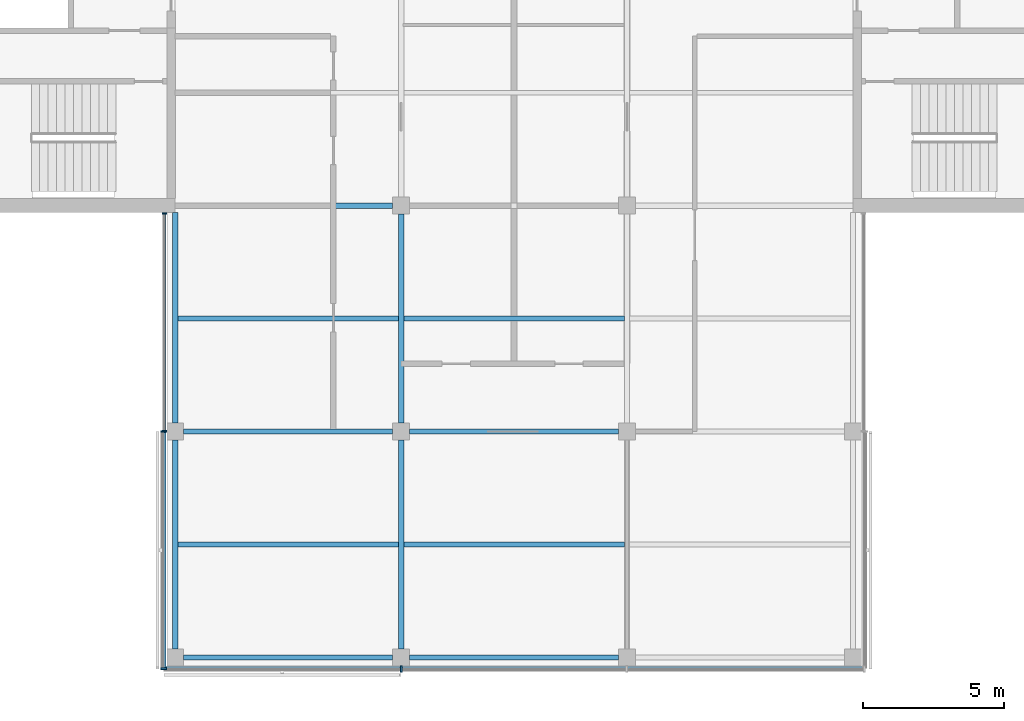
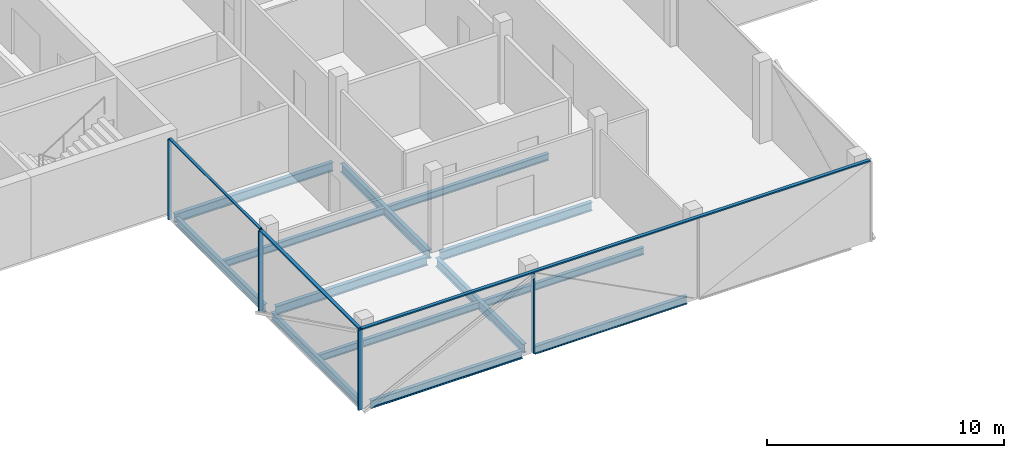
# One storey, part 2 of 15: 13 beams, 8 members, 3 elements without a shape of their own.
"""IFC4 building model written with IfcOpenShell, lengths in metres."""

from ifc_helpers import new_model, si_unit, direction, frame, origin, origin_2d, place, context, subcontext, project, spatial, rectangle, i_section, extrude, material, material_profile, profile_set, type_object, element, aggregate, save


model = new_model("IFC4")

# Units and contexts
model_context = context("Model", 3, precision=1e-05, world=origin(), true_north=direction((0.0, 1.0)))
body_context = subcontext(model_context, "Body", "Model", "MODEL_VIEW")
ifc_project = project(units=[si_unit("LENGTHUNIT", "METRE"), si_unit("AREAUNIT", "SQUARE_METRE"), si_unit("VOLUMEUNIT", "CUBIC_METRE"), si_unit("PLANEANGLEUNIT", "RADIAN"), si_unit("MASSUNIT", "GRAM", prefix="KILO")], contexts=[model_context])

# Site, building, storey
site_placement = place(None, origin())
site = spatial("IfcSite", under=ifc_project, at=site_placement, CompositionType="ELEMENT")
building_placement = place(site_placement, origin())
building = spatial("IfcBuilding", under=site, at=building_placement, Name="Crosswind Convention Tower", CompositionType="ELEMENT")
storey_placement = place(building_placement, frame((0.0, 0.0, 319.699951171875)))
storey = spatial("IfcBuildingStorey", under=building, at=storey_placement, Name="L69", CompositionType="ELEMENT", Elevation=319.699951171875)

# Beams
ifc_material_1 = material(Name="Steel S355", Category="steel")
ifc_material_profile_1 = material_profile(ifc_material_1, i_section(OverallWidth=0.177734375, OverallDepth=0.406494140625, WebThickness=0.0078125, FlangeThickness=0.0126953125, FilletRadius=0.01025390625, at=origin_2d()), Name="UB 406x178x60")
ifc_profile_set_1 = profile_set([ifc_material_profile_1], Name="Steel S355")
beam_type_1 = type_object("IfcBeamType", Name="Edge beam UB 406x178x60", PredefinedType="SPANDREL", material=ifc_profile_set_1)
beam_1_placement = place(storey_placement, frame((113.0, 72.300048828125, -0.503173828125), z_axis=(0.0, 1.0, 0.0), x_axis=(-1.0, 0.0, 0.0)))
element("IfcBeam", 1, at=beam_1_placement, inside=storey, type_object=beam_type_1, Name="B15 L69 edge beam 1", PredefinedType="SPANDREL", context=body_context, shape_type="SweptSolid", body=[
    extrude(i_section(OverallWidth=0.177734375, OverallDepth=0.406494140625, WebThickness=0.0078125, FlangeThickness=0.0126953125, FilletRadius=0.01025390625, at=origin_2d()), origin(), (0.0, 0.0, 1.0), 7.39990234375),
])
beam_2_placement = place(storey_placement, frame((113.0, 80.300048828125, -0.503173828125), z_axis=(0.0, 1.0, 0.0), x_axis=(-1.0, 0.0, 0.0)))
element("IfcBeam", 2, at=beam_2_placement, inside=storey, type_object=beam_type_1, Name="B15 L69 edge beam 2", PredefinedType="SPANDREL", context=body_context, shape_type="SweptSolid", body=[
    extrude(i_section(OverallWidth=0.177734375, OverallDepth=0.406494140625, WebThickness=0.0078125, FlangeThickness=0.0126953125, FilletRadius=0.01025390625, at=origin_2d()), origin(), (0.0, 0.0, 1.0), 7.449951171875),
])
for number, where, z_axis, x_axis, name in (
    (3, (113.300048828125, 72.0, -0.503173828125), (1.0, 0.0, 0.0), (0.0, 1.0, 0.0), "B15 L69 edge beam 5"),
    (4, (121.300048828125, 72.0, -0.503173828125), (1.0, 0.0, 0.0), (0.0, 1.0, 0.0), "B15 L69 edge beam 7"),
):
    element("IfcBeam", number, at=place(storey_placement, frame(where, z_axis=z_axis, x_axis=x_axis)), inside=storey, type_object=beam_type_1, Name=name, PredefinedType="SPANDREL", context=body_context, shape_type="SweptSolid", body=[
        extrude(i_section(OverallWidth=0.177734375, OverallDepth=0.406494140625, WebThickness=0.0078125, FlangeThickness=0.0126953125, FilletRadius=0.01025390625, at=origin_2d()), origin(), (0.0, 0.0, 1.0), 7.39990234375),
    ])
ifc_material_profile_2 = material_profile(ifc_material_1, i_section(OverallWidth=0.18994140625, OverallDepth=0.45361328125, WebThickness=0.008544921875, FlangeThickness=0.0126953125, FilletRadius=0.01025390625, at=origin_2d()), Name="UB 457x191x67")
ifc_profile_set_2 = profile_set([ifc_material_profile_2], Name="Steel S355")
beam_type_2 = type_object("IfcBeamType", Name="Girder UB 457x191x67", PredefinedType="BEAM", material=ifc_profile_set_2)
for number, where, z_axis, x_axis, name in (
    (5, (113.300048828125, 80.0, -0.52685546875), (1.0, 0.0, 0.0), (0.0, 1.0, 0.0), "B1 L69 girder 1"),
    (6, (121.0, 72.300048828125, -0.52685546875), (0.0, 1.0, 0.0), (-1.0, 0.0, 0.0), "B1 L69 girder 3"),
    (7, (121.0, 80.300048828125, -0.52685546875), (0.0, 1.0, 0.0), (-1.0, 0.0, 0.0), "B1 L69 girder 4"),
    (8, (121.300048828125, 80.0, -0.52685546875), (1.0, 0.0, 0.0), (0.0, 1.0, 0.0), "B1 L69 girder 10"),
):
    element("IfcBeam", number, at=place(storey_placement, frame(where, z_axis=z_axis, x_axis=x_axis)), inside=storey, type_object=beam_type_2, Name=name, PredefinedType="BEAM", context=body_context, shape_type="SweptSolid", body=[
        extrude(i_section(OverallWidth=0.18994140625, OverallDepth=0.45361328125, WebThickness=0.008544921875, FlangeThickness=0.0126953125, FilletRadius=0.01025390625, at=origin_2d()), origin(), (0.0, 0.0, 1.0), 7.39990234375),
    ])
ifc_material_profile_3 = material_profile(ifc_material_1, i_section(OverallWidth=0.1904296875, OverallDepth=0.457275390625, WebThickness=0.009033203125, FlangeThickness=0.014404296875, FilletRadius=0.01025390625, at=origin_2d()), Name="UB 457x191x75")
ifc_profile_set_3 = profile_set([ifc_material_profile_3], Name="Steel S355")
beam_type_3 = type_object("IfcBeamType", Name="Girder at core wall UB 457x191x75", PredefinedType="BEAM", material=ifc_profile_set_3)
beam_3_placement = place(storey_placement, frame((113.0, 88.0, -0.528564453125), z_axis=(1.0, 0.0, 0.0), x_axis=(0.0, 1.0, 0.0)))
element("IfcBeam", 9, at=beam_3_placement, inside=storey, type_object=beam_type_3, Name="B22 L69 girder at core wall 1", PredefinedType="BEAM", context=body_context, shape_type="SweptSolid", body=[
    extrude(i_section(OverallWidth=0.1904296875, OverallDepth=0.457275390625, WebThickness=0.009033203125, FlangeThickness=0.014404296875, FilletRadius=0.01025390625, at=origin_2d()), origin(), (0.0, 0.0, 1.0), 7.699951171875),
])

# Curtain wall, members
ifc_material_2 = material(Name="Aluminium unitised curtain wall", Category="aluminium")
curtain_wall_type_1 = type_object("IfcCurtainWallType", Name="CORE END SLOT WALL 160", PredefinedType="USERDEFINED", material=ifc_material_2)
curtain_wall_1_placement = place(storey_placement, origin())
curtain_wall_1 = element("IfcCurtainWall", 10, at=curtain_wall_1_placement, inside=storey, type_object=curtain_wall_type_1, Name="CW6 L69 S-W.1-1 slot", ObjectType="UNITISED", PredefinedType="USERDEFINED")
ifc_material_3 = material(Name="Aluminium mullion", Category="aluminium")
ifc_material_profile_4 = material_profile(ifc_material_3, rectangle(XDim=0.159912109375, YDim=0.050048828125, at=origin_2d()), Name="AL 160X50")
ifc_profile_set_4 = profile_set([ifc_material_profile_4], Name="Aluminium mullion")
member_type_1 = type_object("IfcMemberType", Name="MULLION 50X160", PredefinedType="MULLION", material=ifc_profile_set_4)
member_1_placement = place(storey_placement, frame((112.6201171875, 87.72509765625, -0.300048828125), z_axis=(0.0, 0.0, 1.0), x_axis=(-1.0, 0.0, 0.0)))
member_1 = element("IfcMember", 11, at=member_1_placement, type_object=member_type_1, Name="CW6 mullion 1", PredefinedType="MULLION", context=body_context, shape_type="SweptSolid", body=[
    extrude(rectangle(XDim=0.159912109375, YDim=0.050048828125, at=origin_2d()), origin(), (0.0, 0.0, 1.0), 4.150146484375),
])
member_2_placement = place(storey_placement, frame((112.6201171875, 80.02490234375, -0.300048828125), z_axis=(0.0, 0.0, 1.0), x_axis=(-1.0, 0.0, 0.0)))
member_2 = element("IfcMember", 12, at=member_2_placement, type_object=member_type_1, Name="CW6 mullion 2", PredefinedType="MULLION", context=body_context, shape_type="SweptSolid", body=[
    extrude(rectangle(XDim=0.159912109375, YDim=0.050048828125, at=origin_2d()), origin(), (0.0, 0.0, 1.0), 4.150146484375),
])

curtain_wall_type_2 = type_object("IfcCurtainWallType", Name="OFFICE UNITISED WALL 220", PredefinedType="USERDEFINED", material=ifc_material_2)
curtain_wall_2_placement = place(storey_placement, origin())
curtain_wall_2 = element("IfcCurtainWall", 13, at=curtain_wall_2_placement, inside=storey, type_object=curtain_wall_type_2, Name="CW3 L69 S-W 1", ObjectType="UNITISED", PredefinedType="USERDEFINED")
ifc_material_profile_5 = material_profile(ifc_material_3, rectangle(XDim=0.219970703125, YDim=0.070068359375, at=origin_2d()), Name="AL 220X70")
ifc_profile_set_5 = profile_set([ifc_material_profile_5], Name="Aluminium mullion")
member_type_2 = type_object("IfcMemberType", Name="MULLION 70X220", PredefinedType="MULLION", material=ifc_profile_set_5)
member_3_placement = place(storey_placement, frame((112.590087890625, 80.0, -0.300048828125), z_axis=(0.0, 0.0, 1.0), x_axis=(-1.0, 0.0, 0.0)))
member_3 = element("IfcMember", 14, at=member_3_placement, type_object=member_type_2, Name="CW3 mullion 1", PredefinedType="MULLION", context=body_context, shape_type="SweptSolid", body=[
    extrude(rectangle(XDim=0.219970703125, YDim=0.070068359375, at=origin_2d()), origin(), (0.0, 0.0, 1.0), 4.130126953125),
])
member_4_placement = place(storey_placement, frame((112.590087890625, 71.590087890625, -0.300048828125), z_axis=(0.0, 0.0, 1.0), x_axis=(-1.0, 0.0, 0.0)))
member_4 = element("IfcMember", 15, at=member_4_placement, type_object=member_type_2, Name="CW3 mullion 2", PredefinedType="MULLION", context=body_context, shape_type="SweptSolid", body=[
    extrude(rectangle(XDim=0.219970703125, YDim=0.070068359375, at=origin_2d()), origin(), (0.0, 0.0, 1.0), 4.130126953125),
])

# Curtain wall, member
curtain_wall_3_placement = place(storey_placement, origin())
curtain_wall_3 = element("IfcCurtainWall", 16, at=curtain_wall_3_placement, inside=storey, type_object=curtain_wall_type_2, Name="CW3 L69 S-TIP 1", ObjectType="UNITISED", PredefinedType="USERDEFINED")
member_5_placement = place(storey_placement, frame((121.0, 71.590087890625, -0.300048828125), z_axis=(0.0, 0.0, 1.0), x_axis=(0.0, -1.0, 0.0)))
member_5 = element("IfcMember", 17, at=member_5_placement, type_object=member_type_2, Name="CW3 mullion 2", PredefinedType="MULLION", context=body_context, shape_type="SweptSolid", body=[
    extrude(rectangle(XDim=0.219970703125, YDim=0.070068359375, at=origin_2d()), origin(), (0.0, 0.0, 1.0), 4.130126953125),
])

# Beams
ifc_material_profile_6 = material_profile(ifc_material_1, i_section(OverallWidth=0.17138671875, OverallDepth=0.355712890625, WebThickness=0.00732421875, FlangeThickness=0.011474609375, FilletRadius=0.01025390625, at=origin_2d()), Name="UB 356x171x51")
ifc_profile_set_6 = profile_set([ifc_material_profile_6], Name="Steel S355")
beam_type_4 = type_object("IfcBeamType", Name="Secondary beam UB 356x171x51", PredefinedType="JOIST", material=ifc_profile_set_6)
for number, where, z_axis, x_axis, name in (
    (18, (113.0888671875, 76.0, -0.477783203125), (1.0, 0.0, 0.0), (0.0, 1.0, 0.0), "B8 L69 secondary beam 4"),
    (19, (113.0888671875, 84.0, -0.477783203125), (1.0, 0.0, 0.0), (0.0, 1.0, 0.0), "B8 L69 secondary beam 5"),
):
    element("IfcBeam", number, at=place(storey_placement, frame(where, z_axis=z_axis, x_axis=x_axis)), inside=storey, type_object=beam_type_4, Name=name, PredefinedType="JOIST", context=body_context, shape_type="SweptSolid", body=[
        extrude(i_section(OverallWidth=0.17138671875, OverallDepth=0.355712890625, WebThickness=0.00732421875, FlangeThickness=0.011474609375, FilletRadius=0.01025390625, at=origin_2d()), origin(), (0.0, 0.0, 1.0), 7.816162109375),
    ])
for number, where, z_axis, x_axis, name in (
    (20, (121.094970703125, 76.0, -0.477783203125), (1.0, 0.0, 0.0), (0.0, 1.0, 0.0), "B8 L69 secondary beam 8"),
    (21, (121.094970703125, 84.0, -0.477783203125), (1.0, 0.0, 0.0), (0.0, 1.0, 0.0), "B8 L69 secondary beam 9"),
):
    element("IfcBeam", number, at=place(storey_placement, frame(where, z_axis=z_axis, x_axis=x_axis)), inside=storey, type_object=beam_type_4, Name=name, PredefinedType="JOIST", context=body_context, shape_type="SweptSolid", body=[
        extrude(i_section(OverallWidth=0.17138671875, OverallDepth=0.355712890625, WebThickness=0.00732421875, FlangeThickness=0.011474609375, FilletRadius=0.01025390625, at=origin_2d()), origin(), (0.0, 0.0, 1.0), 7.81005859375),
    ])

# Member
ifc_material_4 = material(Name="Aluminium transom", Category="aluminium")
ifc_material_profile_7 = material_profile(ifc_material_4, rectangle(XDim=0.1201171875, YDim=0.050048828125, at=origin_2d()), Name="AL 120X50")
ifc_profile_set_7 = profile_set([ifc_material_profile_7], Name="Aluminium transom")
member_type_3 = type_object("IfcMemberType", Name="TRANSOM 50X120", PredefinedType="USERDEFINED", material=ifc_profile_set_7)
member_6_placement = place(storey_placement, frame((112.6201171875, 87.699951171875, 3.875), z_axis=(0.0, -1.0, 0.0), x_axis=(1.0, 0.0, 0.0)))
member_6 = element("IfcMember", 22, at=member_6_placement, type_object=member_type_3, Name="CW6 transom", ObjectType="TRANSOM", PredefinedType="USERDEFINED", context=body_context, shape_type="SweptSolid", body=[
    extrude(rectangle(XDim=0.1201171875, YDim=0.050048828125, at=origin_2d()), origin(), (0.0, 0.0, 1.0), 7.64990234375),
])

aggregate(curtain_wall_1, [member_1, member_2, member_6])

ifc_material_profile_8 = material_profile(ifc_material_4, rectangle(XDim=0.159912109375, YDim=0.070068359375, at=origin_2d()), Name="AL 160X70")
ifc_profile_set_8 = profile_set([ifc_material_profile_8], Name="Aluminium transom")
member_type_4 = type_object("IfcMemberType", Name="TRANSOM 70X160", PredefinedType="USERDEFINED", material=ifc_profile_set_8)
member_7_placement = place(storey_placement, frame((112.590087890625, 79.965087890625, 3.864990234375), z_axis=(0.0, -1.0, 0.0), x_axis=(1.0, 0.0, 0.0)))
member_7 = element("IfcMember", 23, at=member_7_placement, type_object=member_type_4, Name="CW3 transom", ObjectType="TRANSOM", PredefinedType="USERDEFINED", context=body_context, shape_type="SweptSolid", body=[
    extrude(rectangle(XDim=0.159912109375, YDim=0.070068359375, at=origin_2d()), origin(), (0.0, 0.0, 1.0), 8.340087890625),
])

aggregate(curtain_wall_2, [member_3, member_4, member_7])

member_8_placement = place(storey_placement, frame((112.625, 71.590087890625, 3.864990234375), z_axis=(1.0, 0.0, 0.0), x_axis=(0.0, 1.0, 0.0)))
member_8 = element("IfcMember", 24, at=member_8_placement, type_object=member_type_4, Name="CW3 transom", ObjectType="TRANSOM", PredefinedType="USERDEFINED", context=body_context, shape_type="SweptSolid", body=[
    extrude(rectangle(XDim=0.159912109375, YDim=0.070068359375, at=origin_2d()), origin(), (0.0, 0.0, 1.0), 24.75),
])

aggregate(curtain_wall_3, [member_5, member_8])

save(model, "model.ifc")
